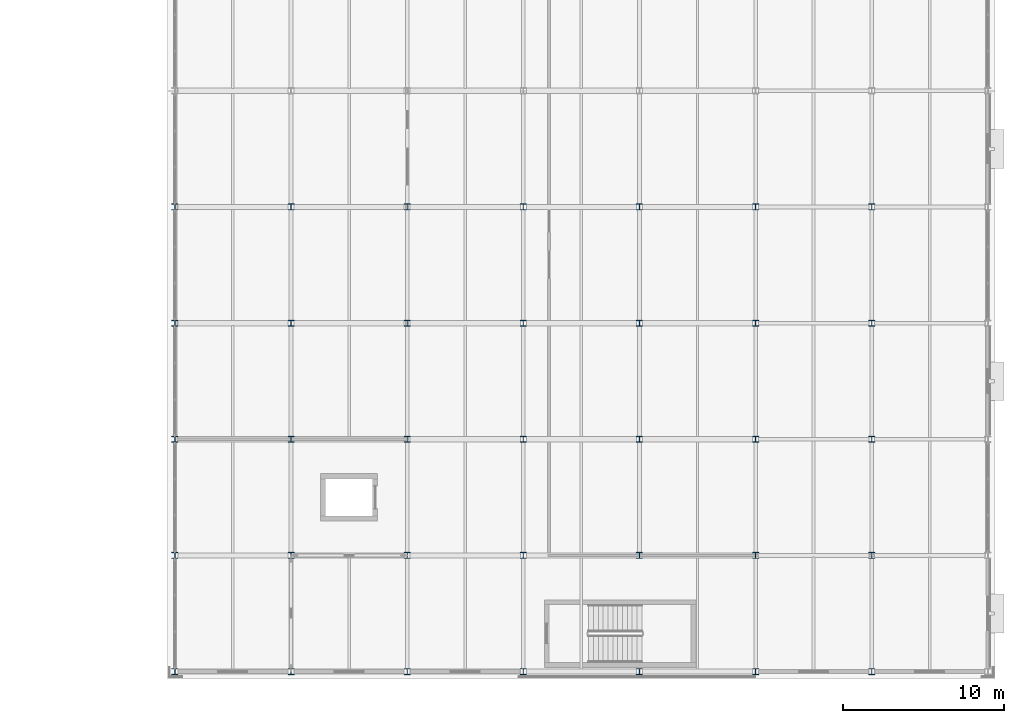
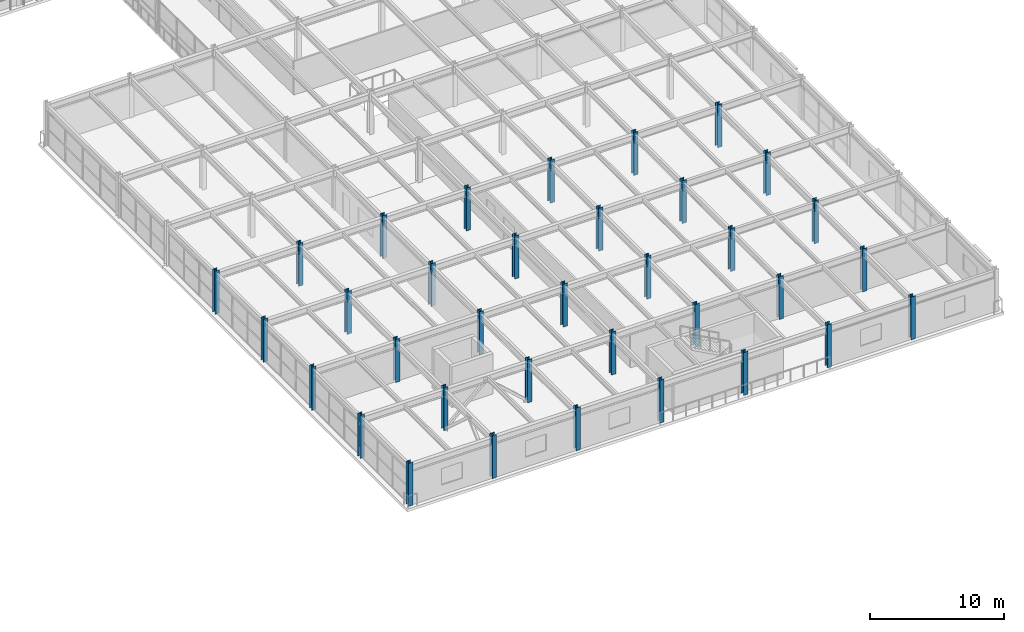
# One storey, part 10 of 93: 35 columns.
"""IFC4 building model written with IfcOpenShell, lengths in metres."""

from ifc_helpers import new_model, si_unit, direction, frame, origin, origin_2d, place, context, subcontext, project, spatial, i_section, extrude, material, material_profile, profile_set, type_object, element, save


model = new_model("IFC4")

# Units and contexts
model_context = context("Model", 3, precision=1e-05, world=origin(), true_north=direction((0.0, 1.0)))
body_context = subcontext(model_context, "Body", "Model", "MODEL_VIEW")
ifc_project = project(units=[si_unit("LENGTHUNIT", "METRE"), si_unit("AREAUNIT", "SQUARE_METRE"), si_unit("VOLUMEUNIT", "CUBIC_METRE"), si_unit("PLANEANGLEUNIT", "RADIAN"), si_unit("MASSUNIT", "GRAM", prefix="KILO")], contexts=[model_context])

# Site, building, storey
site_placement = place(None, origin())
site = spatial("IfcSite", under=ifc_project, at=site_placement, CompositionType="ELEMENT")
building_placement = place(site_placement, origin())
building = spatial("IfcBuilding", under=site, at=building_placement, Name="Vaelcorin Mobility Hub", CompositionType="ELEMENT")
storey_placement = place(building_placement, frame((0.0, 0.0, 5.39990234375)))
storey = spatial("IfcBuildingStorey", under=building, at=storey_placement, Name="L01", CompositionType="ELEMENT", Elevation=5.39990234375)

# Columns
ifc_material = material(Name="Steel ASTM A992 Grade 50", Category="steel")
ifc_material_profile = material_profile(ifc_material, i_section(OverallWidth=0.373046875, OverallDepth=0.373046875, WebThickness=0.016357421875, FlangeThickness=0.026123046875, FilletRadius=0.014892578125, at=origin_2d()), Name="W14X132")
ifc_profile_set = profile_set([ifc_material_profile], Name="Steel ASTM A992 Grade 50")
column_type = type_object("IfcColumnType", Name="COL-W14X132", PredefinedType="COLUMN", material=ifc_profile_set)
for number, where, z_axis, x_axis, name in (
    (1, (153.60009765625, 6.0, 0.0), (0.0, 0.0, 1.0), (1.0, 0.0, 0.0), "Column V5-X01Y01 L01"),
    (2, (153.60009765625, 13.199951171875, 0.0), (0.0, 0.0, 1.0), (1.0, 0.0, 0.0), "Column V5-X01Y02 L01"),
    (3, (153.60009765625, 20.39990234375, 0.0), (0.0, 0.0, 1.0), (1.0, 0.0, 0.0), "Column V5-X01Y03 L01"),
    (4, (153.60009765625, 27.60009765625, 0.0), (0.0, 0.0, 1.0), (1.0, 0.0, 0.0), "Column V5-X01Y04 L01"),
    (5, (153.60009765625, 34.800048828125, 0.0), (0.0, 0.0, 1.0), (1.0, 0.0, 0.0), "Column V5-X01Y05 L01"),
    (6, (160.800048828125, 6.0, 0.0), (0.0, 0.0, 1.0), (1.0, 0.0, 0.0), "Column V5-X02Y01 L01"),
    (7, (160.800048828125, 13.199951171875, 0.0), (0.0, 0.0, 1.0), (1.0, 0.0, 0.0), "Column V5-X02Y02 L01"),
    (8, (160.800048828125, 20.39990234375, 0.0), (0.0, 0.0, 1.0), (1.0, 0.0, 0.0), "Column V5-X02Y03 L01"),
    (9, (160.800048828125, 27.60009765625, 0.0), (0.0, 0.0, 1.0), (1.0, 0.0, 0.0), "Column V5-X02Y04 L01"),
    (10, (160.800048828125, 34.800048828125, 0.0), (0.0, 0.0, 1.0), (1.0, 0.0, 0.0), "Column V5-X02Y05 L01"),
    (11, (168.0, 6.0, 0.0), (0.0, 0.0, 1.0), (1.0, 0.0, 0.0), "Column V5-X03Y01 L01"),
    (12, (168.0, 13.199951171875, 0.0), (0.0, 0.0, 1.0), (1.0, 0.0, 0.0), "Column V5-X03Y02 L01"),
    (13, (168.0, 20.39990234375, 0.0), (0.0, 0.0, 1.0), (1.0, 0.0, 0.0), "Column V5-X03Y03 L01"),
    (14, (168.0, 27.60009765625, 0.0), (0.0, 0.0, 1.0), (1.0, 0.0, 0.0), "Column V5-X03Y04 L01"),
    (15, (168.0, 34.800048828125, 0.0), (0.0, 0.0, 1.0), (1.0, 0.0, 0.0), "Column V5-X03Y05 L01"),
    (16, (175.199951171875, 6.0, 0.0), (0.0, 0.0, 1.0), (1.0, 0.0, 0.0), "Column V5-X04Y01 L01"),
    (17, (175.199951171875, 13.199951171875, 0.0), (0.0, 0.0, 1.0), (1.0, 0.0, 0.0), "Column V5-X04Y02 L01"),
    (18, (175.199951171875, 20.39990234375, 0.0), (0.0, 0.0, 1.0), (1.0, 0.0, 0.0), "Column V5-X04Y03 L01"),
    (19, (175.199951171875, 27.60009765625, 0.0), (0.0, 0.0, 1.0), (1.0, 0.0, 0.0), "Column V5-X04Y04 L01"),
    (20, (175.199951171875, 34.800048828125, 0.0), (0.0, 0.0, 1.0), (1.0, 0.0, 0.0), "Column V5-X04Y05 L01"),
    (21, (182.39990234375, 6.0, 0.0), (0.0, 0.0, 1.0), (1.0, 0.0, 0.0), "Column V5-X05Y01 L01"),
    (22, (182.39990234375, 13.199951171875, 0.0), (0.0, 0.0, 1.0), (1.0, 0.0, 0.0), "Column V5-X05Y02 L01"),
    (23, (182.39990234375, 20.39990234375, 0.0), (0.0, 0.0, 1.0), (1.0, 0.0, 0.0), "Column V5-X05Y03 L01"),
    (24, (182.39990234375, 27.60009765625, 0.0), (0.0, 0.0, 1.0), (1.0, 0.0, 0.0), "Column V5-X05Y04 L01"),
    (25, (182.39990234375, 34.800048828125, 0.0), (0.0, 0.0, 1.0), (1.0, 0.0, 0.0), "Column V5-X05Y05 L01"),
    (26, (189.60009765625, 6.0, 0.0), (0.0, 0.0, 1.0), (1.0, 0.0, 0.0), "Column V5-X06Y01 L01"),
    (27, (189.60009765625, 13.199951171875, 0.0), (0.0, 0.0, 1.0), (1.0, 0.0, 0.0), "Column V5-X06Y02 L01"),
    (28, (189.60009765625, 20.39990234375, 0.0), (0.0, 0.0, 1.0), (1.0, 0.0, 0.0), "Column V5-X06Y03 L01"),
    (29, (189.60009765625, 27.60009765625, 0.0), (0.0, 0.0, 1.0), (1.0, 0.0, 0.0), "Column V5-X06Y04 L01"),
    (30, (189.60009765625, 34.800048828125, 0.0), (0.0, 0.0, 1.0), (1.0, 0.0, 0.0), "Column V5-X06Y05 L01"),
    (31, (196.800048828125, 6.0, 0.0), (0.0, 0.0, 1.0), (1.0, 0.0, 0.0), "Column V5-X07Y01 L01"),
    (32, (196.800048828125, 13.199951171875, 0.0), (0.0, 0.0, 1.0), (1.0, 0.0, 0.0), "Column V5-X07Y02 L01"),
    (33, (196.800048828125, 20.39990234375, 0.0), (0.0, 0.0, 1.0), (1.0, 0.0, 0.0), "Column V5-X07Y03 L01"),
    (34, (196.800048828125, 27.60009765625, 0.0), (0.0, 0.0, 1.0), (1.0, 0.0, 0.0), "Column V5-X07Y04 L01"),
    (35, (196.800048828125, 34.800048828125, 0.0), (0.0, 0.0, 1.0), (1.0, 0.0, 0.0), "Column V5-X07Y05 L01"),
):
    element("IfcColumn", number, at=place(storey_placement, frame(where, z_axis=z_axis, x_axis=x_axis)), inside=storey, type_object=column_type, Name=name, PredefinedType="COLUMN", context=body_context, shape_type="SweptSolid", body=[
        extrude(i_section(OverallWidth=0.373046875, OverallDepth=0.373046875, WebThickness=0.016357421875, FlangeThickness=0.026123046875, FilletRadius=0.014892578125, at=origin_2d()), origin(), (0.0, 0.0, 1.0), 3.900146484375),
    ])

save(model, "model.ifc")
